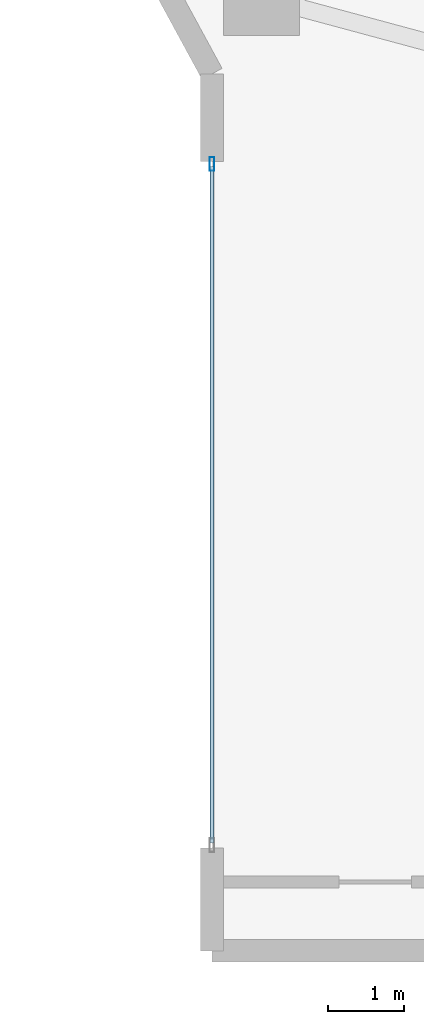
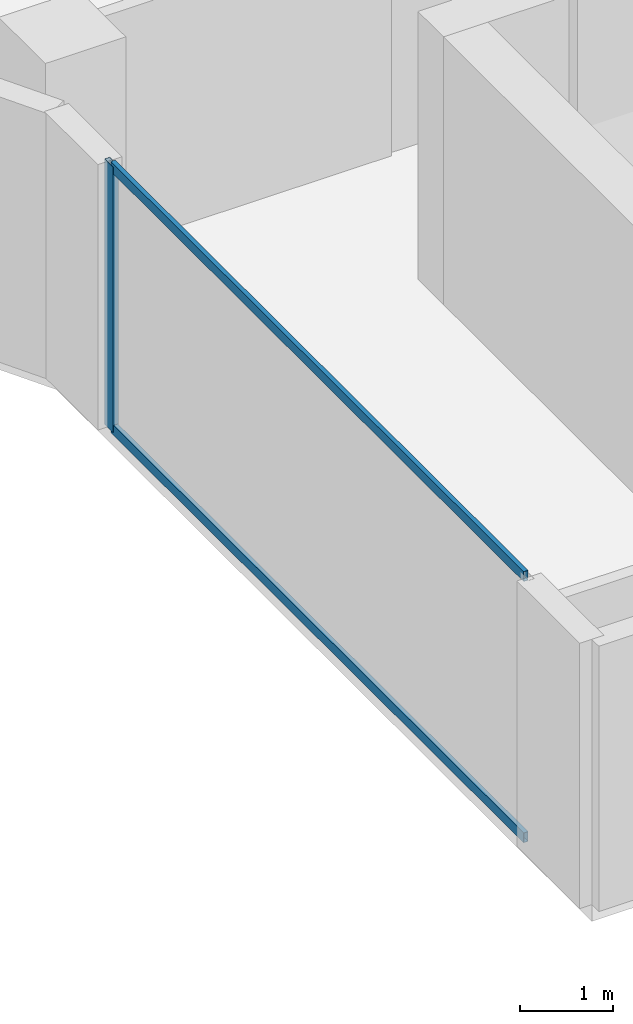
# One storey, part 3 of 25: 3 members, 1 element without a shape of its own.
"""IFC4 building model written with IfcOpenShell, lengths in metres."""

import ifcopenshell
import ifcopenshell.guid

model = None  # the IFC model being written
_history = None  # IfcOwnerHistory: only IFC2X3 demands one
_inside = {}  # id of a spatial element -> (the spatial element, [elements in it])
_under = {}  # id of a project, library or spatial element -> (it, [spatial elements below it])
_declared = {}  # id of a project -> (the project, [libraries it declares])
_typed = {}  # id of a type object -> (the type object, [elements of that type])
_made_of = {}  # id of a material, layer set ... -> (it, [elements and type objects made of it])


def new_model(schema):
    """Start an empty IFC model of exactly this schema.

    Asked for "IFC4X3", IfcOpenShell would pick the latest addendum, in which some entities
    have other attributes; the version numbers below select the first issue.
    IFC2X3 requires an IfcOwnerHistory on every rooted entity: one is made here for all.
    """
    global model, _history
    if schema == "IFC4X3":
        model = ifcopenshell.file(schema_version=(4, 3, 0, 0))
    else:
        model = ifcopenshell.file(schema=schema)
    _inside.clear()
    _under.clear()
    _declared.clear()
    _typed.clear()
    _made_of.clear()
    _history = None
    if model.schema == "IFC2X3":
        org = make("IfcOrganization", Name="unknown")
        user = make(
            "IfcPersonAndOrganization",
            ThePerson=make("IfcPerson", FamilyName="unknown"),
            TheOrganization=org,
        )
        app = make(
            "IfcApplication",
            ApplicationDeveloper=org,
            Version="unknown",
            ApplicationFullName="unknown",
            ApplicationIdentifier="unknown",
        )
        _history = make(
            "IfcOwnerHistory",
            OwningUser=user,
            OwningApplication=app,
            ChangeAction="ADDED",
            CreationDate=0,
        )
    return model


def make(cls, **values):
    """One entity of the class cls with the attributes given. An attribute that is None is left unset."""
    return model.create_entity(
        cls, **{name: value for name, value in values.items() if value is not None}
    )


def rooted(cls, **values):
    """An entity with a GlobalId (a new one), such as an element, a storey or a relation."""
    return make(cls, GlobalId=ifcopenshell.guid.new(), OwnerHistory=_history, **values)


def si_unit(unit_type, name, prefix=None):
    """IfcSIUnit, for example si_unit("LENGTHUNIT", "METRE", prefix="MILLI")."""
    return make("IfcSIUnit", UnitType=unit_type, Prefix=prefix, Name=name)


def assignment(units):
    """IfcUnitAssignment: the units of a project."""
    return None if units is None else make("IfcUnitAssignment", Units=units)


def point(xyz):
    """IfcCartesianPoint."""
    return None if xyz is None else make("IfcCartesianPoint", Coordinates=xyz)


def direction(xyz):
    """IfcDirection."""
    return None if xyz is None else make("IfcDirection", DirectionRatios=xyz)


def frame(location, z_axis=None, x_axis=None):
    """IfcAxis2Placement3D, a coordinate frame: its origin and axes. An axis left out is left unset."""
    return make(
        "IfcAxis2Placement3D",
        Location=point(location),
        Axis=direction(z_axis),
        RefDirection=direction(x_axis),
    )


def frame_2d(location, x_axis=None):
    """IfcAxis2Placement2D, a coordinate frame in the plane: its origin and x axis."""
    return make(
        "IfcAxis2Placement2D", Location=point(location), RefDirection=direction(x_axis)
    )


def origin():
    """The frame at (0, 0, 0) with its axes left unset."""
    return frame((0.0, 0.0, 0.0))


def origin_2d():
    """The frame at (0, 0) in the plane with its x axis left unset."""
    return frame_2d((0.0, 0.0))


def place(relative_to, where):
    """IfcLocalPlacement: puts the frame where relative to a parent placement (None: the world)."""
    return make(
        "IfcLocalPlacement", PlacementRelTo=relative_to, RelativePlacement=where
    )


def context(
    kind, dimensions, precision=None, world=None, true_north=None, identifier=None
):
    """IfcGeometricRepresentationContext, for example the 3D "Model" context."""
    return make(
        "IfcGeometricRepresentationContext",
        ContextIdentifier=identifier,
        ContextType=kind,
        CoordinateSpaceDimension=dimensions,
        Precision=precision,
        WorldCoordinateSystem=world,
        TrueNorth=true_north,
    )


def subcontext(parent, identifier, kind, view, scale=None):
    """IfcGeometricRepresentationSubContext, for example "Body" below "Model"."""
    return make(
        "IfcGeometricRepresentationSubContext",
        ContextIdentifier=identifier,
        ContextType=kind,
        ParentContext=parent,
        TargetScale=scale,
        TargetView=view,
    )


def project(units=None, contexts=None):
    """IfcProject with its units and contexts."""
    return rooted(
        "IfcProject",
        Name="project",
        RepresentationContexts=contexts,
        UnitsInContext=assignment(units),
    )


def spatial(cls, under=None, at=None, **own):
    """A site, building, storey or space (cls), placed at a placement, below another one or the project."""
    s = rooted(cls, ObjectPlacement=at, **own)
    if under is not None:
        _under.setdefault(under.id(), (under, []))[1].append(s)
    return s


def profile(cls, at=None, kind="AREA", **sizes):
    """A parametric profile (cls). Its sizes go by their IFC names, for example OverallWidth=200.0."""
    return make(cls, ProfileType=kind, Position=at, **sizes)


def hollow_rectangle(**sizes):
    """IfcRectangleHollowProfileDef."""
    return profile("IfcRectangleHollowProfileDef", **sizes)


def extrude(swept, where, along, depth):
    """IfcExtrudedAreaSolid: the profile swept, set in the frame where, extruded along a direction by depth."""
    return make(
        "IfcExtrudedAreaSolid",
        SweptArea=swept,
        Position=where,
        ExtrudedDirection=direction(along),
        Depth=depth,
    )


def shape(context_of_items, identifier, shape_type, items):
    """IfcShapeRepresentation: the items that make up one representation, for example the "Body"."""
    return make(
        "IfcShapeRepresentation",
        ContextOfItems=context_of_items,
        RepresentationIdentifier=identifier,
        RepresentationType=shape_type,
        Items=items,
    )


def material(Name=None, Category=None):
    """IfcMaterial."""
    return make("IfcMaterial", Name=Name, Category=Category)


def layer(
    of_material, thickness, ventilated=None, Name=None, Category=None, Priority=None
):
    """IfcMaterialLayer: one layer of a wall or slab, of a material (None: an air gap)."""
    return make(
        "IfcMaterialLayer",
        Material=of_material,
        LayerThickness=thickness,
        IsVentilated=ventilated,
        Name=Name,
        Category=Category,
        Priority=Priority,
    )


def layer_set(layers, Name=None):
    """IfcMaterialLayerSet."""
    return make("IfcMaterialLayerSet", MaterialLayers=layers, LayerSetName=Name)


def material_profile(
    of_material, cross_section, Name=None, Category=None, Priority=None
):
    """IfcMaterialProfile: a cross section and its material."""
    return make(
        "IfcMaterialProfile",
        Name=Name,
        Material=of_material,
        Profile=cross_section,
        Priority=Priority,
        Category=Category,
    )


def profile_set(profiles, Name=None, composite=None):
    """IfcMaterialProfileSet."""
    return make(
        "IfcMaterialProfileSet",
        Name=Name,
        MaterialProfiles=profiles,
        CompositeProfile=composite,
    )


def made_of(thing, what):
    """Note that an element or type object is made of a material, layer set ...; save() writes the relation."""
    if what is not None:
        _made_of.setdefault(what.id(), (what, []))[1].append(thing)
    return thing


def type_object(cls, material=None, **own):
    """A type object (cls), such as IfcWallType, which elements share."""
    return made_of(rooted(cls, **own), material)


def element(
    cls,
    number,
    at=None,
    inside=None,
    cuts=None,
    type_object=None,
    material=None,
    context=None,
    identifier="Body",
    shape_type=None,
    held_by="IfcProductDefinitionShape",
    body=None,
    shapes=None,
    **own,
):
    """One element of the class cls, such as IfcWall. Its Tag is "e" and its number.

    at: its placement. inside: the storey or other place that contains it. cuts: it is an
    opening in that element (IfcRelVoidsElement). A single representation is given by context,
    identifier, shape_type and body (its items); several are given by shapes. held_by: the class
    of the entity that holds the representations. save() writes the other relations.
    """
    e = rooted(cls, Tag="e%d" % number, ObjectPlacement=at, **own)
    if body is not None:
        shapes = [shape(context, identifier, shape_type, body)]
    if shapes is not None:
        e.Representation = make(held_by, Representations=shapes)
    if inside is not None:
        _inside.setdefault(inside.id(), (inside, []))[1].append(e)
    if cuts is not None:
        rooted(
            "IfcRelVoidsElement", RelatingBuildingElement=cuts, RelatedOpeningElement=e
        )
    if type_object is not None:
        _typed.setdefault(type_object.id(), (type_object, []))[1].append(e)
    return made_of(e, material)


def aggregate(whole, parts):
    """IfcRelAggregates: a whole, such as a stair, and the parts it consists of."""
    return rooted("IfcRelAggregates", RelatingObject=whole, RelatedObjects=parts)


def save(model, path):
    """Write the relations noted so far, then the file.

    IfcRelAggregates (storeys below a building ...), IfcRelContainedInSpatialStructure (elements
    in a storey), IfcRelDefinesByType, IfcRelAssociatesMaterial and IfcRelDeclares: one each for
    every whole, place, type object, material and project.
    """
    for whole, parts in _under.values():
        aggregate(whole, parts)
    for where, things in _inside.values():
        rooted(
            "IfcRelContainedInSpatialStructure",
            RelatedElements=things,
            RelatingStructure=where,
        )
    for kind, things in _typed.values():
        rooted("IfcRelDefinesByType", RelatedObjects=things, RelatingType=kind)
    for what, things in _made_of.values():
        rooted("IfcRelAssociatesMaterial", RelatedObjects=things, RelatingMaterial=what)
    for by, libraries in _declared.values():
        rooted("IfcRelDeclares", RelatingContext=by, RelatedDefinitions=libraries)
    model.write(path)


model = new_model("IFC4")

# Units and contexts
model_context = context("Model", 3, precision=1e-05, world=origin(), true_north=direction((0.0, 1.0)))
body_context = subcontext(model_context, "Body", "Model", "MODEL_VIEW")
ifc_project = project(units=[si_unit("LENGTHUNIT", "METRE"), si_unit("AREAUNIT", "SQUARE_METRE"), si_unit("VOLUMEUNIT", "CUBIC_METRE"), si_unit("PLANEANGLEUNIT", "RADIAN"), si_unit("MASSUNIT", "GRAM", prefix="KILO")], contexts=[model_context])

# Site, building, storey
site_placement = place(None, origin())
site = spatial("IfcSite", under=ifc_project, at=site_placement, CompositionType="ELEMENT")
building_placement = place(site_placement, origin())
building = spatial("IfcBuilding", under=site, at=building_placement, Name="Zuhayl Quay Hotel", CompositionType="ELEMENT")
storey_placement = place(building_placement, frame((0.0, 0.0, 258.14990234375)))
storey = spatial("IfcBuildingStorey", under=building, at=storey_placement, Name="L65", CompositionType="ELEMENT", Elevation=258.14990234375)

# Curtain wall, members
ifc_material_1 = material(Name="Anodised Aluminium 6063-T6", Category="aluminium")
ifc_layer = layer(ifc_material_1, 0.169921875, Name="Anodised Aluminium 6063-T6", Category="aluminium")
ifc_layer_set = layer_set([ifc_layer], Name="Anodised Aluminium 6063-T6")
curtain_wall_type = type_object("IfcCurtainWallType", Name="CW_SYS_Z4", PredefinedType="USERDEFINED", material=ifc_layer_set)
curtain_wall_placement = place(storey_placement, origin())
curtain_wall = element("IfcCurtainWall", 1, at=curtain_wall_placement, inside=storey, type_object=curtain_wall_type, Name="L65 Curtain Wall ENV_L65_E02_CW1", ObjectType="UNITISED CURTAIN WALL", PredefinedType="USERDEFINED")
ifc_material_2 = material(Name="Black-anodised aluminium 6063-T6", Category="aluminium")
ifc_material_profile_1 = material_profile(ifc_material_2, hollow_rectangle(XDim=0.06494140625, YDim=0.179931640625, WallThickness=0.00341796875, at=origin_2d()), Name="ALU180X65")
ifc_profile_set_1 = profile_set([ifc_material_profile_1], Name="Black-anodised aluminium 6063-T6")
member_type_1 = type_object("IfcMemberType", Name="MB_CW_MUL_180", PredefinedType="MULLION", material=ifc_profile_set_1)
member_1_placement = place(storey_placement, frame((-20.199951171875, 13.717529296875, 0.0), z_axis=(0.0, 0.0, 1.0), x_axis=(-1.0, 0.0, 0.0)))
member_1 = element("IfcMember", 2, at=member_1_placement, type_object=member_type_1, Name="CW-Z4 mullion 2", PredefinedType="MULLION", context=body_context, shape_type="SweptSolid", body=[
    extrude(hollow_rectangle(XDim=0.06494140625, YDim=0.179931640625, WallThickness=0.00341796875, at=origin_2d()), origin(), (0.0, 0.0, 1.0), 3.47998046875),
])
ifc_material_profile_2 = material_profile(ifc_material_2, hollow_rectangle(XDim=0.054931640625, YDim=0.1298828125, WallThickness=0.0029296875, at=origin_2d()), Name="ALU130X55")
ifc_profile_set_2 = profile_set([ifc_material_profile_2], Name="Black-anodised aluminium 6063-T6")
member_type_2 = type_object("IfcMemberType", Name="MB_CW_TRN_130", PredefinedType="USERDEFINED", material=ifc_profile_set_2)
member_2_placement = place(storey_placement, frame((-20.199951171875, 4.81494140625, 0.027587890625), z_axis=(0.0, 1.0, 0.0), x_axis=(-1.0, 0.0, 0.0)))
member_2 = element("IfcMember", 3, at=member_2_placement, type_object=member_type_2, Name="CW-Z4 transom 1.1", ObjectType="TRANSOM", PredefinedType="USERDEFINED", context=body_context, shape_type="SweptSolid", body=[
    extrude(hollow_rectangle(XDim=0.054931640625, YDim=0.1298828125, WallThickness=0.0029296875, at=origin_2d()), origin(), (0.0, 0.0, 1.0), 8.8701171875),
])
member_3_placement = place(storey_placement, frame((-20.199951171875, 4.81494140625, 3.45263671875), z_axis=(0.0, 1.0, 0.0), x_axis=(-1.0, 0.0, 0.0)))
member_3 = element("IfcMember", 4, at=member_3_placement, type_object=member_type_2, Name="CW-Z4 transom 1.2", ObjectType="TRANSOM", PredefinedType="USERDEFINED", context=body_context, shape_type="SweptSolid", body=[
    extrude(hollow_rectangle(XDim=0.054931640625, YDim=0.1298828125, WallThickness=0.0029296875, at=origin_2d()), origin(), (0.0, 0.0, 1.0), 8.8701171875),
])
aggregate(curtain_wall, [member_1, member_2, member_3])

save(model, "model.ifc")
